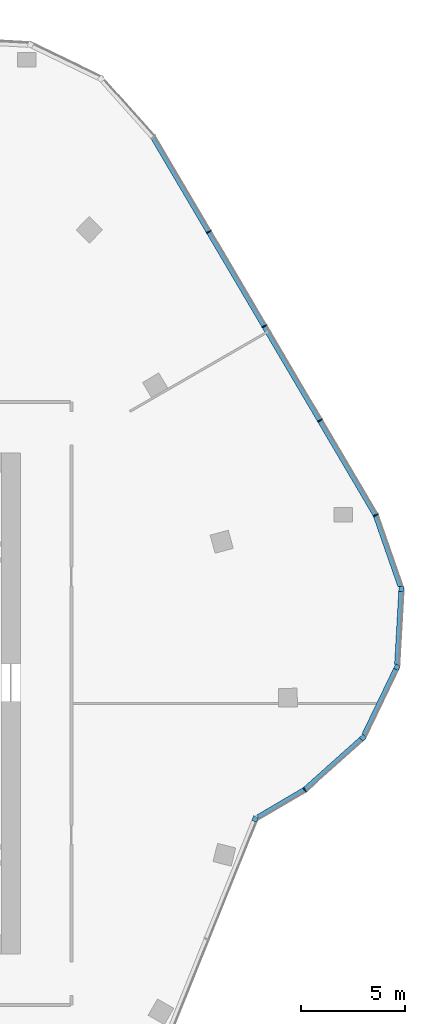
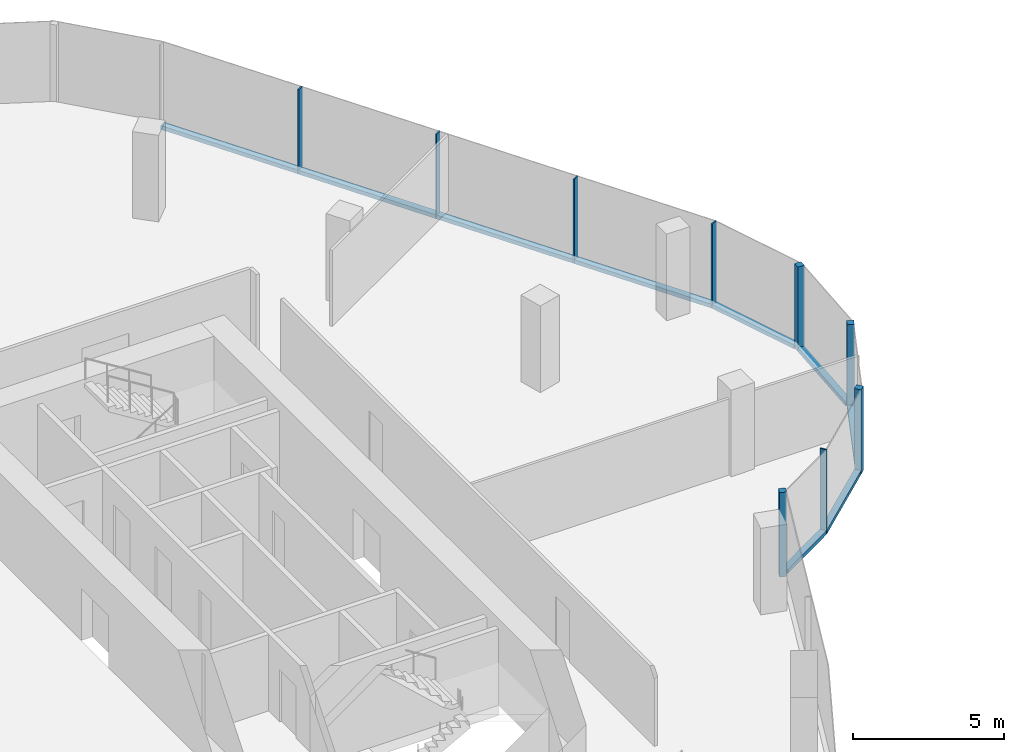
# One storey, part 7 of 16: 15 members, 7 elements without a shape of their own.
"""IFC4 building model written with IfcOpenShell, lengths in metres."""

from ifc_helpers import new_model, si_unit, direction, frame, origin, origin_2d, place, context, subcontext, project, spatial, rectangle, extrude, material, material_profile, profile_set, type_object, element, aggregate, save


model = new_model("IFC4")

# Units and contexts
model_context = context("Model", 3, precision=1e-05, world=origin(), true_north=direction((0.0, 1.0)))
body_context = subcontext(model_context, "Body", "Model", "MODEL_VIEW")
ifc_project = project(units=[si_unit("LENGTHUNIT", "METRE"), si_unit("AREAUNIT", "SQUARE_METRE"), si_unit("VOLUMEUNIT", "CUBIC_METRE"), si_unit("PLANEANGLEUNIT", "RADIAN"), si_unit("MASSUNIT", "GRAM", prefix="KILO")], contexts=[model_context])

# Site, building, storey
site_placement = place(None, origin())
site = spatial("IfcSite", under=ifc_project, at=site_placement, CompositionType="ELEMENT")
building_placement = place(site_placement, origin())
building = spatial("IfcBuilding", under=site, at=building_placement, Name="Orlundy Tower", CompositionType="ELEMENT")
storey_placement = place(building_placement, frame((0.0, 0.0, 292.89990234375)))
storey = spatial("IfcBuildingStorey", under=building, at=storey_placement, Name="L78", CompositionType="ELEMENT", Elevation=292.89990234375)

# Curtain wall, member
ifc_material_1 = material(Name="Aluminium bronze anodised", Category="aluminium")
curtain_wall_type = type_object("IfcCurtainWallType", Name="CW6 wall", PredefinedType="NOTDEFINED", material=ifc_material_1)
curtain_wall_1_placement = place(storey_placement, origin())
curtain_wall_1 = element("IfcCurtainWall", 1, at=curtain_wall_1_placement, inside=storey, type_object=curtain_wall_type, Name="CW6 run 01", PredefinedType="NOTDEFINED")
ifc_material_2 = material(Name="Aluminium bronze anodised", Category="aluminium")
ifc_material_profile_1 = material_profile(ifc_material_2, rectangle(XDim=0.239990234375, YDim=0.239990234375, at=origin_2d()), Name="CW6 corner post 240x240")
ifc_profile_set_1 = profile_set([ifc_material_profile_1], Name="Aluminium bronze anodised")
member_type_1 = type_object("IfcMemberType", Name="CW6 corner post 240x240", PredefinedType="MULLION", material=ifc_profile_set_1)
member_1_placement = place(storey_placement, frame((30.25, -5.53271484375, -0.31982421875), z_axis=(0.0, 0.0, 1.0), x_axis=(0.927195304229, -0.37457825326, 0.0)))
member_1 = element("IfcMember", 2, at=member_1_placement, type_object=member_type_1, Name="CW6 mullion 2", PredefinedType="MULLION", context=body_context, shape_type="SweptSolid", body=[
    extrude(rectangle(XDim=0.239990234375, YDim=0.239990234375, at=origin_2d()), origin(), (0.0, 0.0, 1.0), 3.419921875),
])
aggregate(curtain_wall_1, [member_1])

curtain_wall_2_placement = place(storey_placement, origin())
curtain_wall_2 = element("IfcCurtainWall", 3, at=curtain_wall_2_placement, inside=storey, type_object=curtain_wall_type, Name="CW6 run 025", PredefinedType="NOTDEFINED")
member_2_placement = place(storey_placement, frame((37.26025390625, 5.488037109375, -0.31982421875), z_axis=(0.0, 0.0, 1.0), x_axis=(0.998394082315, -0.056650299193, 0.0)))
member_2 = element("IfcMember", 4, at=member_2_placement, type_object=member_type_1, Name="CW6 mullion 47", PredefinedType="MULLION", context=body_context, shape_type="SweptSolid", body=[
    extrude(rectangle(XDim=0.239990234375, YDim=0.239990234375, at=origin_2d()), origin(), (0.0, 0.0, 1.0), 3.419921875),
])

curtain_wall_3_placement = place(storey_placement, origin())
curtain_wall_3 = element("IfcCurtainWall", 5, at=curtain_wall_3_placement, inside=storey, type_object=curtain_wall_type, Name="CW6 run 026", PredefinedType="NOTDEFINED")
member_3_placement = place(storey_placement, frame((37.04736328125, 1.7392578125, -0.31982421875), z_axis=(0.0, 0.0, 1.0), x_axis=(0.900704581715, -0.434432108019, 0.0)))
member_3 = element("IfcMember", 6, at=member_3_placement, type_object=member_type_1, Name="CW6 mullion 48", PredefinedType="MULLION", context=body_context, shape_type="SweptSolid", body=[
    extrude(rectangle(XDim=0.239990234375, YDim=0.239990234375, at=origin_2d()), origin(), (0.0, 0.0, 1.0), 3.419921875),
])

curtain_wall_4_placement = place(storey_placement, origin())
curtain_wall_4 = element("IfcCurtainWall", 7, at=curtain_wall_4_placement, inside=storey, type_object=curtain_wall_type, Name="CW6 run 027", PredefinedType="NOTDEFINED")
member_4_placement = place(storey_placement, frame((35.416748046875, -1.6416015625, -0.31982421875), z_axis=(0.0, 0.0, 1.0), x_axis=(0.665919287575, -0.746023794818, 0.0)))
member_4 = element("IfcMember", 8, at=member_4_placement, type_object=member_type_1, Name="CW6 mullion 49", PredefinedType="MULLION", context=body_context, shape_type="SweptSolid", body=[
    extrude(rectangle(XDim=0.239990234375, YDim=0.239990234375, at=origin_2d()), origin(), (0.0, 0.0, 1.0), 3.419921875),
])

curtain_wall_5_placement = place(storey_placement, origin())
curtain_wall_5 = element("IfcCurtainWall", 9, at=curtain_wall_5_placement, inside=storey, type_object=curtain_wall_type, Name="CW6 run 00", PredefinedType="NOTDEFINED")
ifc_material_3 = material(Name="Aluminium bronze anodised", Category="aluminium")
ifc_material_profile_2 = material_profile(ifc_material_3, rectangle(XDim=0.239990234375, YDim=0.050048828125, at=origin_2d()), Name="CW6 mullion 50x240")
ifc_profile_set_2 = profile_set([ifc_material_profile_2], Name="Aluminium bronze anodised")
member_type_2 = type_object("IfcMemberType", Name="CW6 mullion 50x240", PredefinedType="MULLION", material=ifc_profile_set_2)
member_5_placement = place(storey_placement, frame((32.6240234375, -4.13427734375, -0.31982421875), z_axis=(0.0, 0.0, 1.0), x_axis=(0.589554347127, -0.807728711749, 0.0)))
member_5 = element("IfcMember", 10, at=member_5_placement, type_object=member_type_2, Name="CW6 mullion 1", PredefinedType="MULLION", context=body_context, shape_type="SweptSolid", body=[
    extrude(rectangle(XDim=0.239990234375, YDim=0.050048828125, at=origin_2d()), origin(), (0.0, 0.0, 1.0), 3.419921875),
])

# Curtain wall, members
curtain_wall_6_placement = place(storey_placement, origin())
curtain_wall_6 = element("IfcCurtainWall", 11, at=curtain_wall_6_placement, inside=storey, type_object=curtain_wall_type, Name="CW6 run 023", PredefinedType="NOTDEFINED")
member_6_placement = place(storey_placement, frame((28.02685546875, 22.602294921875, -0.31982421875), z_axis=(0.0, 0.0, 1.0), x_axis=(0.861632919827, 0.507531980737, 0.0)))
member_6 = element("IfcMember", 12, at=member_6_placement, type_object=member_type_2, Name="CW6 mullion 43", PredefinedType="MULLION", context=body_context, shape_type="SweptSolid", body=[
    extrude(rectangle(XDim=0.239990234375, YDim=0.050048828125, at=origin_2d()), origin(), (0.0, 0.0, 1.0), 3.419921875),
])
member_7_placement = place(storey_placement, frame((30.69140625, 18.078857421875, -0.31982421875), z_axis=(0.0, 0.0, 1.0), x_axis=(0.861632919827, 0.507531980737, 0.0)))
member_7 = element("IfcMember", 13, at=member_7_placement, type_object=member_type_2, Name="CW6 mullion 44", PredefinedType="MULLION", context=body_context, shape_type="SweptSolid", body=[
    extrude(rectangle(XDim=0.239990234375, YDim=0.050048828125, at=origin_2d()), origin(), (0.0, 0.0, 1.0), 3.419921875),
])
member_8_placement = place(storey_placement, frame((33.35595703125, 13.555419921875, -0.31982421875), z_axis=(0.0, 0.0, 1.0), x_axis=(0.861632919827, 0.507531980737, 0.0)))
member_8 = element("IfcMember", 14, at=member_8_placement, type_object=member_type_2, Name="CW6 mullion 45", PredefinedType="MULLION", context=body_context, shape_type="SweptSolid", body=[
    extrude(rectangle(XDim=0.239990234375, YDim=0.050048828125, at=origin_2d()), origin(), (0.0, 0.0, 1.0), 3.419921875),
])

# Curtain wall, member
curtain_wall_7_placement = place(storey_placement, origin())
curtain_wall_7 = element("IfcCurtainWall", 15, at=curtain_wall_7_placement, inside=storey, type_object=curtain_wall_type, Name="CW6 run 024", PredefinedType="NOTDEFINED")
member_9_placement = place(storey_placement, frame((36.0263671875, 9.021728515625, -0.31982421875), z_axis=(0.0, 0.0, 1.0), x_axis=(0.907242839631, 0.420607215747, 0.0)))
member_9 = element("IfcMember", 16, at=member_9_placement, type_object=member_type_2, Name="CW6 mullion 46", PredefinedType="MULLION", context=body_context, shape_type="SweptSolid", body=[
    extrude(rectangle(XDim=0.239990234375, YDim=0.050048828125, at=origin_2d()), origin(), (0.0, 0.0, 1.0), 3.419921875),
])

# Member
ifc_material_4 = material(Name="Aluminium bronze anodised", Category="aluminium")
ifc_material_profile_3 = material_profile(ifc_material_4, rectangle(XDim=0.239990234375, YDim=0.159912109375, at=origin_2d()), Name="CW6 transom 240x160")
ifc_profile_set_3 = profile_set([ifc_material_profile_3], Name="Aluminium bronze anodised")
member_type_3 = type_object("IfcMemberType", Name="CW6 transom 240x160", PredefinedType="USERDEFINED", material=ifc_profile_set_3)
member_10_placement = place(storey_placement, frame((32.6025390625, -4.147216796875, -0.239990234375), z_axis=(-0.861649351367, -0.507504084012, 0.0), x_axis=(0.507504084012, -0.861649351367, 0.0)))
member_10 = element("IfcMember", 17, at=member_10_placement, type_object=member_type_3, Name="CW6 transom", ObjectType="TRANSOM", PredefinedType="USERDEFINED", context=body_context, shape_type="SweptSolid", body=[
    extrude(rectangle(XDim=0.239990234375, YDim=0.159912109375, at=origin_2d()), origin(), (0.0, 0.0, 1.0), 2.578857421875),
])

aggregate(curtain_wall_5, [member_5, member_10])

member_11_placement = place(storey_placement, frame((25.369140625, 27.114501953125, -0.239990234375), z_axis=(0.507533842527, -0.861631823165, 0.0), x_axis=(0.861631823165, 0.507533842527, 0.0)))
member_11 = element("IfcMember", 18, at=member_11_placement, type_object=member_type_3, Name="CW6 transom", ObjectType="TRANSOM", PredefinedType="USERDEFINED", context=body_context, shape_type="SweptSolid", body=[
    extrude(rectangle(XDim=0.239990234375, YDim=0.159912109375, at=origin_2d()), origin(), (0.0, 0.0, 1.0), 20.97314453125),
])

aggregate(curtain_wall_6, [member_6, member_7, member_8, member_11])

member_12_placement = place(storey_placement, frame((36.03466796875, 8.998046875, -0.239990234375), z_axis=(0.329607742896, -0.944117967111, 0.0), x_axis=(0.944117967111, 0.329607742896, 0.0)))
member_12 = element("IfcMember", 19, at=member_12_placement, type_object=member_type_3, Name="CW6 transom", ObjectType="TRANSOM", PredefinedType="USERDEFINED", context=body_context, shape_type="SweptSolid", body=[
    extrude(rectangle(XDim=0.239990234375, YDim=0.159912109375, at=origin_2d()), origin(), (0.0, 0.0, 1.0), 3.587890625),
])

aggregate(curtain_wall_7, [member_9, member_12])

member_13_placement = place(storey_placement, frame((37.25341796875, 5.3681640625, -0.239990234375), z_axis=(-0.056635158198, -0.998394941321, 0.0), x_axis=(0.998394941321, -0.056635158198, 0.0)))
member_13 = element("IfcMember", 20, at=member_13_placement, type_object=member_type_3, Name="CW6 transom", ObjectType="TRANSOM", PredefinedType="USERDEFINED", context=body_context, shape_type="SweptSolid", body=[
    extrude(rectangle(XDim=0.239990234375, YDim=0.159912109375, at=origin_2d()), origin(), (0.0, 0.0, 1.0), 3.504638671875),
])

aggregate(curtain_wall_2, [member_2, member_13])

member_14_placement = place(storey_placement, frame((36.995361328125, 1.63134765625, -0.239990234375), z_axis=(-0.434431430652, -0.900704908426, 0.0), x_axis=(0.900704908426, -0.434431430652, 0.0)))
member_14 = element("IfcMember", 21, at=member_14_placement, type_object=member_type_3, Name="CW6 transom", ObjectType="TRANSOM", PredefinedType="USERDEFINED", context=body_context, shape_type="SweptSolid", body=[
    extrude(rectangle(XDim=0.239990234375, YDim=0.159912109375, at=origin_2d()), origin(), (0.0, 0.0, 1.0), 3.50390625),
])

aggregate(curtain_wall_3, [member_3, member_14])

member_15_placement = place(storey_placement, frame((35.3271484375, -1.721435546875, -0.239990234375), z_axis=(-0.746003870069, -0.665941608433, 0.0), x_axis=(0.665941608433, -0.746003870069, 0.0)))
member_15 = element("IfcMember", 22, at=member_15_placement, type_object=member_type_3, Name="CW6 transom", ObjectType="TRANSOM", PredefinedType="USERDEFINED", context=body_context, shape_type="SweptSolid", body=[
    extrude(rectangle(XDim=0.239990234375, YDim=0.159912109375, at=origin_2d()), origin(), (0.0, 0.0, 1.0), 3.598388671875),
])

aggregate(curtain_wall_4, [member_4, member_15])

save(model, "model.ifc")
